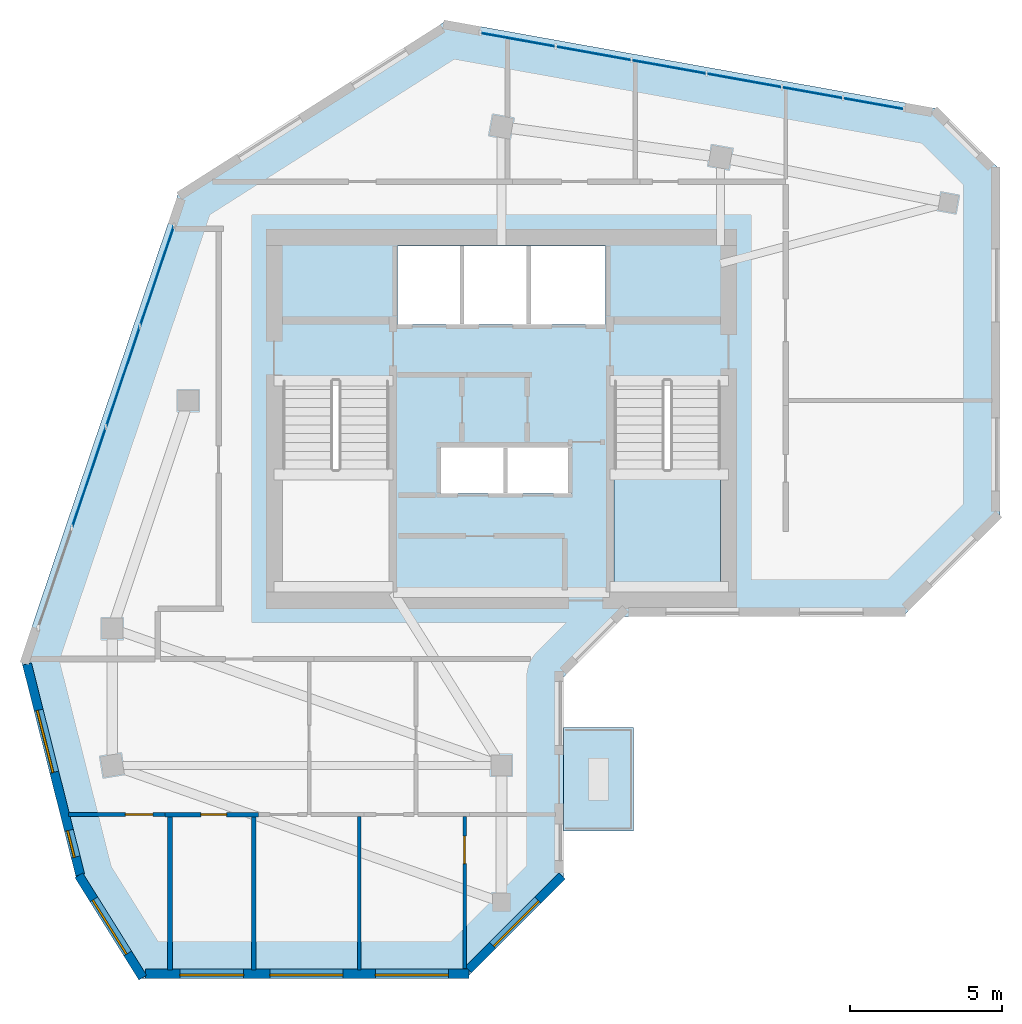
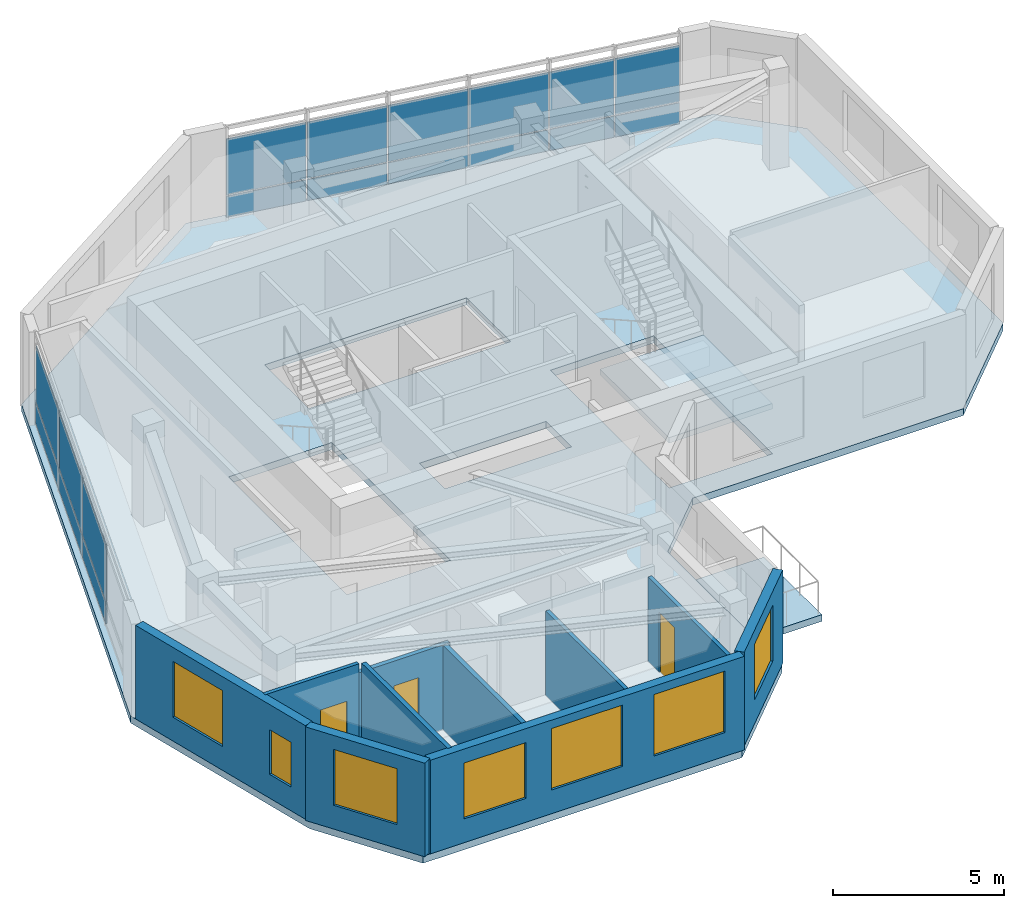
# One storey, part 2 of 7: 18 plates, 10 walls, 7 windows, 3 doors, 3 slabs, 10 openings, 3 elements without a shape of their own.
"""IFC4 building model written with IfcOpenShell, lengths in metres."""

import ifcopenshell
import ifcopenshell.guid

model = None  # the IFC model being written
_history = None  # IfcOwnerHistory: only IFC2X3 demands one
_inside = {}  # id of a spatial element -> (the spatial element, [elements in it])
_under = {}  # id of a project, library or spatial element -> (it, [spatial elements below it])
_declared = {}  # id of a project -> (the project, [libraries it declares])
_typed = {}  # id of a type object -> (the type object, [elements of that type])
_made_of = {}  # id of a material, layer set ... -> (it, [elements and type objects made of it])


def new_model(schema):
    """Start an empty IFC model of exactly this schema.

    Asked for "IFC4X3", IfcOpenShell would pick the latest addendum, in which some entities
    have other attributes; the version numbers below select the first issue.
    IFC2X3 requires an IfcOwnerHistory on every rooted entity: one is made here for all.
    """
    global model, _history
    if schema == "IFC4X3":
        model = ifcopenshell.file(schema_version=(4, 3, 0, 0))
    else:
        model = ifcopenshell.file(schema=schema)
    _inside.clear()
    _under.clear()
    _declared.clear()
    _typed.clear()
    _made_of.clear()
    _history = None
    if model.schema == "IFC2X3":
        org = make("IfcOrganization", Name="unknown")
        user = make(
            "IfcPersonAndOrganization",
            ThePerson=make("IfcPerson", FamilyName="unknown"),
            TheOrganization=org,
        )
        app = make(
            "IfcApplication",
            ApplicationDeveloper=org,
            Version="unknown",
            ApplicationFullName="unknown",
            ApplicationIdentifier="unknown",
        )
        _history = make(
            "IfcOwnerHistory",
            OwningUser=user,
            OwningApplication=app,
            ChangeAction="ADDED",
            CreationDate=0,
        )
    return model


def make(cls, **values):
    """One entity of the class cls with the attributes given. An attribute that is None is left unset."""
    return model.create_entity(
        cls, **{name: value for name, value in values.items() if value is not None}
    )


def rooted(cls, **values):
    """An entity with a GlobalId (a new one), such as an element, a storey or a relation."""
    return make(cls, GlobalId=ifcopenshell.guid.new(), OwnerHistory=_history, **values)


def si_unit(unit_type, name, prefix=None):
    """IfcSIUnit, for example si_unit("LENGTHUNIT", "METRE", prefix="MILLI")."""
    return make("IfcSIUnit", UnitType=unit_type, Prefix=prefix, Name=name)


def assignment(units):
    """IfcUnitAssignment: the units of a project."""
    return None if units is None else make("IfcUnitAssignment", Units=units)


def point(xyz):
    """IfcCartesianPoint."""
    return None if xyz is None else make("IfcCartesianPoint", Coordinates=xyz)


def direction(xyz):
    """IfcDirection."""
    return None if xyz is None else make("IfcDirection", DirectionRatios=xyz)


def frame(location, z_axis=None, x_axis=None):
    """IfcAxis2Placement3D, a coordinate frame: its origin and axes. An axis left out is left unset."""
    return make(
        "IfcAxis2Placement3D",
        Location=point(location),
        Axis=direction(z_axis),
        RefDirection=direction(x_axis),
    )


def frame_2d(location, x_axis=None):
    """IfcAxis2Placement2D, a coordinate frame in the plane: its origin and x axis."""
    return make(
        "IfcAxis2Placement2D", Location=point(location), RefDirection=direction(x_axis)
    )


def origin():
    """The frame at (0, 0, 0) with its axes left unset."""
    return frame((0.0, 0.0, 0.0))


def place(relative_to, where):
    """IfcLocalPlacement: puts the frame where relative to a parent placement (None: the world)."""
    return make(
        "IfcLocalPlacement", PlacementRelTo=relative_to, RelativePlacement=where
    )


def context(
    kind, dimensions, precision=None, world=None, true_north=None, identifier=None
):
    """IfcGeometricRepresentationContext, for example the 3D "Model" context."""
    return make(
        "IfcGeometricRepresentationContext",
        ContextIdentifier=identifier,
        ContextType=kind,
        CoordinateSpaceDimension=dimensions,
        Precision=precision,
        WorldCoordinateSystem=world,
        TrueNorth=true_north,
    )


def subcontext(parent, identifier, kind, view, scale=None):
    """IfcGeometricRepresentationSubContext, for example "Body" below "Model"."""
    return make(
        "IfcGeometricRepresentationSubContext",
        ContextIdentifier=identifier,
        ContextType=kind,
        ParentContext=parent,
        TargetScale=scale,
        TargetView=view,
    )


def project(units=None, contexts=None):
    """IfcProject with its units and contexts."""
    return rooted(
        "IfcProject",
        Name="project",
        RepresentationContexts=contexts,
        UnitsInContext=assignment(units),
    )


def spatial(cls, under=None, at=None, **own):
    """A site, building, storey or space (cls), placed at a placement, below another one or the project."""
    s = rooted(cls, ObjectPlacement=at, **own)
    if under is not None:
        _under.setdefault(under.id(), (under, []))[1].append(s)
    return s


def polyline(points):
    """IfcPolyline through the points."""
    return make("IfcPolyline", Points=[point(p) for p in points])


def profile(cls, at=None, kind="AREA", **sizes):
    """A parametric profile (cls). Its sizes go by their IFC names, for example OverallWidth=200.0."""
    return make(cls, ProfileType=kind, Position=at, **sizes)


def rectangle(**sizes):
    """IfcRectangleProfileDef."""
    return profile("IfcRectangleProfileDef", **sizes)


def outline(outer, holes=None, kind="AREA"):
    """IfcArbitraryClosedProfileDef: a profile drawn as a closed curve; with holes, ...WithVoids."""
    if holes is None:
        return make("IfcArbitraryClosedProfileDef", ProfileType=kind, OuterCurve=outer)
    return make(
        "IfcArbitraryProfileDefWithVoids",
        ProfileType=kind,
        OuterCurve=outer,
        InnerCurves=holes,
    )


def extrude(swept, where, along, depth):
    """IfcExtrudedAreaSolid: the profile swept, set in the frame where, extruded along a direction by depth."""
    return make(
        "IfcExtrudedAreaSolid",
        SweptArea=swept,
        Position=where,
        ExtrudedDirection=direction(along),
        Depth=depth,
    )


def shape(context_of_items, identifier, shape_type, items):
    """IfcShapeRepresentation: the items that make up one representation, for example the "Body"."""
    return make(
        "IfcShapeRepresentation",
        ContextOfItems=context_of_items,
        RepresentationIdentifier=identifier,
        RepresentationType=shape_type,
        Items=items,
    )


def source(mapping_origin, context_of_items, identifier, shape_type, items):
    """IfcRepresentationMap: a shape defined once, which mapped items show again and again."""
    return make(
        "IfcRepresentationMap",
        MappingOrigin=mapping_origin,
        MappedRepresentation=shape(context_of_items, identifier, shape_type, items),
    )


def transform(
    local_origin,
    x_axis=None,
    y_axis=None,
    z_axis=None,
    scale=None,
    scale2=None,
    scale3=None,
    uniform=True,
):
    """IfcCartesianTransformationOperator3D, or its non-uniform kind. x_axis, y_axis, z_axis: its Axis1, 2, 3."""
    if uniform:
        return make(
            "IfcCartesianTransformationOperator3D",
            Axis1=direction(x_axis),
            Axis2=direction(y_axis),
            LocalOrigin=point(local_origin),
            Scale=scale,
            Axis3=direction(z_axis),
        )
    return make(
        "IfcCartesianTransformationOperator3DnonUniform",
        Axis1=direction(x_axis),
        Axis2=direction(y_axis),
        LocalOrigin=point(local_origin),
        Scale=scale,
        Axis3=direction(z_axis),
        Scale2=scale2,
        Scale3=scale3,
    )


def mapped(mapping_source, mapping_target):
    """IfcMappedItem: shows the shape of a source again, moved by a transform."""
    return make(
        "IfcMappedItem", MappingSource=mapping_source, MappingTarget=mapping_target
    )


def material(Name=None, Category=None):
    """IfcMaterial."""
    return make("IfcMaterial", Name=Name, Category=Category)


def layer(
    of_material, thickness, ventilated=None, Name=None, Category=None, Priority=None
):
    """IfcMaterialLayer: one layer of a wall or slab, of a material (None: an air gap)."""
    return make(
        "IfcMaterialLayer",
        Material=of_material,
        LayerThickness=thickness,
        IsVentilated=ventilated,
        Name=Name,
        Category=Category,
        Priority=Priority,
    )


def layer_set(layers, Name=None):
    """IfcMaterialLayerSet."""
    return make("IfcMaterialLayerSet", MaterialLayers=layers, LayerSetName=Name)


def made_of(thing, what):
    """Note that an element or type object is made of a material, layer set ...; save() writes the relation."""
    if what is not None:
        _made_of.setdefault(what.id(), (what, []))[1].append(thing)
    return thing


def type_object(cls, material=None, **own):
    """A type object (cls), such as IfcWallType, which elements share."""
    return made_of(rooted(cls, **own), material)


def element(
    cls,
    number,
    at=None,
    inside=None,
    cuts=None,
    type_object=None,
    material=None,
    context=None,
    identifier="Body",
    shape_type=None,
    held_by="IfcProductDefinitionShape",
    body=None,
    shapes=None,
    **own,
):
    """One element of the class cls, such as IfcWall. Its Tag is "e" and its number.

    at: its placement. inside: the storey or other place that contains it. cuts: it is an
    opening in that element (IfcRelVoidsElement). A single representation is given by context,
    identifier, shape_type and body (its items); several are given by shapes. held_by: the class
    of the entity that holds the representations. save() writes the other relations.
    """
    e = rooted(cls, Tag="e%d" % number, ObjectPlacement=at, **own)
    if body is not None:
        shapes = [shape(context, identifier, shape_type, body)]
    if shapes is not None:
        e.Representation = make(held_by, Representations=shapes)
    if inside is not None:
        _inside.setdefault(inside.id(), (inside, []))[1].append(e)
    if cuts is not None:
        rooted(
            "IfcRelVoidsElement", RelatingBuildingElement=cuts, RelatedOpeningElement=e
        )
    if type_object is not None:
        _typed.setdefault(type_object.id(), (type_object, []))[1].append(e)
    return made_of(e, material)


def fill(opening, filler):
    """IfcRelFillsElement: the door or window that sits in an opening."""
    return rooted(
        "IfcRelFillsElement",
        RelatingOpeningElement=opening,
        RelatedBuildingElement=filler,
    )


def aggregate(whole, parts):
    """IfcRelAggregates: a whole, such as a stair, and the parts it consists of."""
    return rooted("IfcRelAggregates", RelatingObject=whole, RelatedObjects=parts)


def save(model, path):
    """Write the relations noted so far, then the file.

    IfcRelAggregates (storeys below a building ...), IfcRelContainedInSpatialStructure (elements
    in a storey), IfcRelDefinesByType, IfcRelAssociatesMaterial and IfcRelDeclares: one each for
    every whole, place, type object, material and project.
    """
    for whole, parts in _under.values():
        aggregate(whole, parts)
    for where, things in _inside.values():
        rooted(
            "IfcRelContainedInSpatialStructure",
            RelatedElements=things,
            RelatingStructure=where,
        )
    for kind, things in _typed.values():
        rooted("IfcRelDefinesByType", RelatedObjects=things, RelatingType=kind)
    for what, things in _made_of.values():
        rooted("IfcRelAssociatesMaterial", RelatedObjects=things, RelatingMaterial=what)
    for by, libraries in _declared.values():
        rooted("IfcRelDeclares", RelatingContext=by, RelatedDefinitions=libraries)
    model.write(path)


model = new_model("IFC4")

# Units and contexts
model_context = context("Model", 3, precision=1e-05, world=origin(), true_north=direction((0.0, 1.0)))
body_context = subcontext(model_context, "Body", "Model", "MODEL_VIEW")
ifc_project = project(units=[si_unit("LENGTHUNIT", "METRE"), si_unit("AREAUNIT", "SQUARE_METRE"), si_unit("VOLUMEUNIT", "CUBIC_METRE"), si_unit("PLANEANGLEUNIT", "RADIAN"), si_unit("MASSUNIT", "GRAM", prefix="KILO")], contexts=[model_context])

# Site, building, storey
site_placement = place(None, origin())
site = spatial("IfcSite", under=ifc_project, at=site_placement, CompositionType="ELEMENT")
building_placement = place(site_placement, origin())
building = spatial("IfcBuilding", under=site, at=building_placement, Name="Calvemar Wedge Station Tower", CompositionType="ELEMENT")
storey_placement = place(building_placement, frame((0.0, 0.0, 288.89990234375)))
storey = spatial("IfcBuildingStorey", under=building, at=storey_placement, Name="L74", CompositionType="ELEMENT", Elevation=288.89990234375)

# Curtain wall, plates
ifc_material_1 = material(Name="Anodised aluminium 6063-T6", Category="aluminium")
curtain_wall_type = type_object("IfcCurtainWallType", Name="CW4", PredefinedType="NOTDEFINED", material=ifc_material_1)
curtain_wall_1_placement = place(storey_placement, origin())
curtain_wall_1 = element("IfcCurtainWall", 1, at=curtain_wall_1_placement, inside=storey, type_object=curtain_wall_type, Name="Storey L74 CW4 Recessed Unitised Curtain Wall 10", PredefinedType="NOTDEFINED")
ifc_material_2 = material(Name="Low-E laminated insulated glass", Category="glass")
ifc_layer_1 = layer(ifc_material_2, 0.028076171875)
ifc_layer_set_1 = layer_set([ifc_layer_1], Name="Low-E laminated insulated glass")
plate_type_1 = type_object("IfcPlateType", Name="CW4-GLZ", PredefinedType="CURTAIN_PANEL", material=ifc_layer_set_1)
plate_1_placement = place(storey_placement, frame((37.01611328125, 50.08740234375, 0.8701171875), z_axis=(0.0, 0.0, 1.0), x_axis=(-0.984221146633, 0.176942743621, 0.0)))
plate_1 = element("IfcPlate", 2, at=plate_1_placement, type_object=plate_type_1, Name="CW4 vision glass panel 1", PredefinedType="CURTAIN_PANEL", context=body_context, shape_type="SweptSolid", body=[
    extrude(rectangle(XDim=2.001953125, YDim=0.028076171875, at=frame_2d((1.0009765625, 0.0))), origin(), (0.0, 0.0, 1.0), 2.010009765625),
])
plate_2_placement = place(storey_placement, frame((35.01025390625, 50.447998046875, 0.8701171875), z_axis=(0.0, 0.0, 1.0), x_axis=(-0.984224963901, 0.176921509244, 0.0)))
plate_2 = element("IfcPlate", 3, at=plate_2_placement, type_object=plate_type_1, Name="CW4 vision glass panel 2", PredefinedType="CURTAIN_PANEL", context=body_context, shape_type="SweptSolid", body=[
    extrude(rectangle(XDim=2.002197265625, YDim=0.028076171875, at=frame_2d((1.0009765625, 0.0))), origin(), (0.0, 0.0, 1.0), 2.010009765625),
])
plate_3_placement = place(storey_placement, frame((33.004150390625, 50.80859375, 0.8701171875), z_axis=(0.0, 0.0, 1.0), x_axis=(-0.984227258702, 0.176908742657, 0.0)))
plate_3 = element("IfcPlate", 4, at=plate_3_placement, type_object=plate_type_1, Name="CW4 vision glass panel 3", PredefinedType="CURTAIN_PANEL", context=body_context, shape_type="SweptSolid", body=[
    extrude(rectangle(XDim=2.478515625, YDim=0.028076171875, at=frame_2d((1.2392578125, 0.0))), origin(), (0.0, 0.0, 1.0), 2.010009765625),
])
plate_4_placement = place(storey_placement, frame((30.529296875, 51.25341796875, 0.8701171875), z_axis=(0.0, 0.0, 1.0), x_axis=(-0.984230341027, 0.176891593364, 0.0)))
plate_4 = element("IfcPlate", 5, at=plate_4_placement, type_object=plate_type_1, Name="CW4 vision glass panel 4", PredefinedType="CURTAIN_PANEL", context=body_context, shape_type="SweptSolid", body=[
    extrude(rectangle(XDim=2.478759765625, YDim=0.028076171875, at=frame_2d((1.2392578125, 0.0))), origin(), (0.0, 0.0, 1.0), 2.010009765625),
])
plate_5_placement = place(storey_placement, frame((28.05419921875, 51.6982421875, 0.8701171875), z_axis=(0.0, 0.0, 1.0), x_axis=(-0.984227429681, 0.176907791418, 0.0)))
plate_5 = element("IfcPlate", 6, at=plate_5_placement, type_object=plate_type_1, Name="CW4 vision glass panel 5", PredefinedType="CURTAIN_PANEL", context=body_context, shape_type="SweptSolid", body=[
    extrude(rectangle(XDim=2.48828125, YDim=0.028076171875, at=frame_2d((1.244140625, 0.0))), origin(), (0.0, 0.0, 1.0), 2.010009765625),
])
plate_6_placement = place(storey_placement, frame((25.56982421875, 52.14501953125, 0.8701171875), z_axis=(0.0, 0.0, 1.0), x_axis=(-0.984227429681, 0.176907791418, 0.0)))
plate_6 = element("IfcPlate", 7, at=plate_6_placement, type_object=plate_type_1, Name="CW4 vision glass panel 6", PredefinedType="CURTAIN_PANEL", context=body_context, shape_type="SweptSolid", body=[
    extrude(rectangle(XDim=2.48828125, YDim=0.028076171875, at=frame_2d((1.244140625, 0.0))), origin(), (0.0, 0.0, 1.0), 2.010009765625),
])

curtain_wall_2_placement = place(storey_placement, origin())
curtain_wall_2 = element("IfcCurtainWall", 8, at=curtain_wall_2_placement, inside=storey, type_object=curtain_wall_type, Name="Storey L74 CW4 Recessed Unitised Curtain Wall 12", PredefinedType="NOTDEFINED")
plate_7_placement = place(storey_placement, frame((13.0244140625, 46.223388671875, 0.8701171875), z_axis=(0.0, 0.0, 1.0), x_axis=(-0.319915894708, -0.947445945853, 0.0)))
plate_7 = element("IfcPlate", 9, at=plate_7_placement, type_object=plate_type_1, Name="CW4 vision glass panel 1", PredefinedType="CURTAIN_PANEL", context=body_context, shape_type="SweptSolid", body=[
    extrude(rectangle(XDim=3.453125, YDim=0.028076171875, at=frame_2d((1.7265625, 0.0))), origin(), (0.0, 0.0, 1.0), 2.010009765625),
])
plate_8_placement = place(storey_placement, frame((11.908203125, 42.91748046875, 0.8701171875), z_axis=(0.0, 0.0, 1.0), x_axis=(-0.319979356362, -0.947424514936, 0.0)))
plate_8 = element("IfcPlate", 10, at=plate_8_placement, type_object=plate_type_1, Name="CW4 vision glass panel 2", PredefinedType="CURTAIN_PANEL", context=body_context, shape_type="SweptSolid", body=[
    extrude(rectangle(XDim=3.453369140625, YDim=0.028076171875, at=frame_2d((1.7265625, 0.0))), origin(), (0.0, 0.0, 1.0), 2.010009765625),
])
plate_9_placement = place(storey_placement, frame((10.791748046875, 39.611572265625, 0.8701171875), z_axis=(0.0, 0.0, 1.0), x_axis=(-0.319915894708, -0.947445945853, 0.0)))
plate_9 = element("IfcPlate", 11, at=plate_9_placement, type_object=plate_type_1, Name="CW4 vision glass panel 3", PredefinedType="CURTAIN_PANEL", context=body_context, shape_type="SweptSolid", body=[
    extrude(rectangle(XDim=3.453125, YDim=0.028076171875, at=frame_2d((1.7265625, 0.0))), origin(), (0.0, 0.0, 1.0), 2.010009765625),
])

# Plate
ifc_material_3 = material(Name="Oxidized bronze aluminium spandrel panel 5005-H24", Category="aluminium")
ifc_layer_2 = layer(ifc_material_3, 0.0400390625)
ifc_layer_set_2 = layer_set([ifc_layer_2], Name="Oxidized bronze aluminium spandrel panel 5005-H24")
plate_type_2 = type_object("IfcPlateType", Name="CW4-SPD", PredefinedType="SHEET", material=ifc_layer_set_2)
plate_10_placement = place(storey_placement, frame((37.01611328125, 50.08740234375, 0.080078125), z_axis=(0.0, 0.0, 1.0), x_axis=(-0.984221146633, 0.176942743621, 0.0)))
plate_10 = element("IfcPlate", 12, at=plate_10_placement, type_object=plate_type_2, Name="CW4 bronze spandrel panel 1", PredefinedType="SHEET", context=body_context, shape_type="SweptSolid", body=[
    extrude(rectangle(XDim=2.001953125, YDim=0.0400390625, at=frame_2d((1.0009765625, 0.0))), origin(), (0.0, 0.0, 1.0), 0.75),
])

plate_11_placement = place(storey_placement, frame((35.01025390625, 50.447998046875, 0.080078125), z_axis=(0.0, 0.0, 1.0), x_axis=(-0.984224963901, 0.176921509244, 0.0)))
plate_11 = element("IfcPlate", 13, at=plate_11_placement, type_object=plate_type_2, Name="CW4 bronze spandrel panel 2", PredefinedType="SHEET", context=body_context, shape_type="SweptSolid", body=[
    extrude(rectangle(XDim=2.002197265625, YDim=0.0400390625, at=frame_2d((1.0009765625, 0.0))), origin(), (0.0, 0.0, 1.0), 0.75),
])

plate_12_placement = place(storey_placement, frame((33.004150390625, 50.80859375, 0.080078125), z_axis=(0.0, 0.0, 1.0), x_axis=(-0.984227258702, 0.176908742657, 0.0)))
plate_12 = element("IfcPlate", 14, at=plate_12_placement, type_object=plate_type_2, Name="CW4 bronze spandrel panel 3", PredefinedType="SHEET", context=body_context, shape_type="SweptSolid", body=[
    extrude(rectangle(XDim=2.478515625, YDim=0.0400390625, at=frame_2d((1.2392578125, 0.0))), origin(), (0.0, 0.0, 1.0), 0.75),
])

plate_13_placement = place(storey_placement, frame((30.529296875, 51.25341796875, 0.080078125), z_axis=(0.0, 0.0, 1.0), x_axis=(-0.984230341027, 0.176891593364, 0.0)))
plate_13 = element("IfcPlate", 15, at=plate_13_placement, type_object=plate_type_2, Name="CW4 bronze spandrel panel 4", PredefinedType="SHEET", context=body_context, shape_type="SweptSolid", body=[
    extrude(rectangle(XDim=2.478759765625, YDim=0.0400390625, at=frame_2d((1.2392578125, 0.0))), origin(), (0.0, 0.0, 1.0), 0.75),
])

plate_14_placement = place(storey_placement, frame((28.05419921875, 51.6982421875, 0.080078125), z_axis=(0.0, 0.0, 1.0), x_axis=(-0.984227429681, 0.176907791418, 0.0)))
plate_14 = element("IfcPlate", 16, at=plate_14_placement, type_object=plate_type_2, Name="CW4 bronze spandrel panel 5", PredefinedType="SHEET", context=body_context, shape_type="SweptSolid", body=[
    extrude(rectangle(XDim=2.48828125, YDim=0.0400390625, at=frame_2d((1.244140625, 0.0))), origin(), (0.0, 0.0, 1.0), 0.75),
])

plate_15_placement = place(storey_placement, frame((25.56982421875, 52.14501953125, 0.080078125), z_axis=(0.0, 0.0, 1.0), x_axis=(-0.984227429681, 0.176907791418, 0.0)))
plate_15 = element("IfcPlate", 17, at=plate_15_placement, type_object=plate_type_2, Name="CW4 bronze spandrel panel 6", PredefinedType="SHEET", context=body_context, shape_type="SweptSolid", body=[
    extrude(rectangle(XDim=2.48828125, YDim=0.0400390625, at=frame_2d((1.244140625, 0.0))), origin(), (0.0, 0.0, 1.0), 0.75),
])

aggregate(curtain_wall_1, [plate_10, plate_1, plate_11, plate_2, plate_12, plate_3, plate_13, plate_4, plate_14, plate_5, plate_15, plate_6])

plate_16_placement = place(storey_placement, frame((13.0244140625, 46.223388671875, 0.080078125), z_axis=(0.0, 0.0, 1.0), x_axis=(-0.319915894708, -0.947445945853, 0.0)))
plate_16 = element("IfcPlate", 18, at=plate_16_placement, type_object=plate_type_2, Name="CW4 bronze spandrel panel 1", PredefinedType="SHEET", context=body_context, shape_type="SweptSolid", body=[
    extrude(rectangle(XDim=3.453125, YDim=0.0400390625, at=frame_2d((1.7265625, 0.0))), origin(), (0.0, 0.0, 1.0), 0.75),
])

plate_17_placement = place(storey_placement, frame((11.908203125, 42.91748046875, 0.080078125), z_axis=(0.0, 0.0, 1.0), x_axis=(-0.319979356362, -0.947424514936, 0.0)))
plate_17 = element("IfcPlate", 19, at=plate_17_placement, type_object=plate_type_2, Name="CW4 bronze spandrel panel 2", PredefinedType="SHEET", context=body_context, shape_type="SweptSolid", body=[
    extrude(rectangle(XDim=3.453369140625, YDim=0.0400390625, at=frame_2d((1.7265625, 0.0))), origin(), (0.0, 0.0, 1.0), 0.75),
])

plate_18_placement = place(storey_placement, frame((10.791748046875, 39.611572265625, 0.080078125), z_axis=(0.0, 0.0, 1.0), x_axis=(-0.319915894708, -0.947445945853, 0.0)))
plate_18 = element("IfcPlate", 20, at=plate_18_placement, type_object=plate_type_2, Name="CW4 bronze spandrel panel 3", PredefinedType="SHEET", context=body_context, shape_type="SweptSolid", body=[
    extrude(rectangle(XDim=3.453125, YDim=0.0400390625, at=frame_2d((1.7265625, 0.0))), origin(), (0.0, 0.0, 1.0), 0.75),
])

aggregate(curtain_wall_2, [plate_16, plate_7, plate_17, plate_8, plate_18, plate_9])

# Stair, slab
ifc_material_4 = material(Name="Concrete C45", Category="concrete")
stair_type = type_object("IfcStairType", Name="ST-TYPE-3600", PredefinedType="HALF_TURN_STAIR", material=ifc_material_4)
stair_placement = place(storey_placement, origin())
stair = element("IfcStair", 21, at=stair_placement, inside=storey, type_object=stair_type, Name="L74 Pressurized Core Exit Stair ST-C2", PredefinedType="HALF_TURN_STAIR")
ifc_layer_3 = layer(ifc_material_4, 0.199951171875)
ifc_layer_set_3 = layer_set([ifc_layer_3], Name="Concrete C45")
slab_type_1 = type_object("IfcSlabType", Name="SL-STAIR-LND-200", PredefinedType="LANDING", material=ifc_layer_set_3)
slab_1_placement = place(storey_placement, frame((0.0, 0.0, 1.60009765625)))
slab_1 = element("IfcSlab", 22, at=slab_1_placement, type_object=slab_type_1, Name="ST-C2 landing 1", PredefinedType="LANDING", context=body_context, shape_type="SweptSolid", body=[
    extrude(outline(polyline([(27.5, 38.25), (27.5, 34.199951171875), (31.0, 34.199951171875), (31.0, 38.25), (27.5, 38.25)])), origin(), (0.0, 0.0, 1.0), 0.199951171875),
])
aggregate(stair, [slab_1])

# Slabs
ifc_layer_4 = layer(ifc_material_4, 0.239990234375)
ifc_layer_set_4 = layer_set([ifc_layer_4], Name="Concrete C45")
slab_type_2 = type_object("IfcSlabType", Name="SL-TERR-240", PredefinedType="FLOOR", material=ifc_layer_set_4)
slab_2_placement = place(storey_placement, frame((0.0, 0.0, -0.239990234375)))
element("IfcSlab", 23, at=slab_2_placement, inside=storey, type_object=slab_type_2, Name="Storey L74 Planted Spiral Terrace Slab", PredefinedType="FLOOR", context=body_context, shape_type="SweptSolid", body=[
    extrude(outline(polyline([(25.840087890625, 26.35009765625), (28.139892578125, 26.35009765625), (28.139892578125, 29.75), (25.840087890625, 29.75), (25.840087890625, 26.35009765625)])), origin(), (0.0, 0.0, 1.0), 0.239990234375),
])
ifc_material_5 = material(Name="Concrete C50", Category="concrete")
ifc_layer_5 = layer(ifc_material_5, 0.25)
ifc_layer_set_5 = layer_set([ifc_layer_5], Name="Concrete C50")
slab_type_3 = type_object("IfcSlabType", Name="SL-TYP-250", PredefinedType="FLOOR", material=ifc_layer_set_5)
slab_3_placement = place(storey_placement, frame((0.0, 0.0, -0.25)))
element("IfcSlab", 24, at=slab_3_placement, inside=storey, type_object=slab_type_3, Name="Storey L74 Structural Floor Slab", PredefinedType="FLOOR", context=body_context, shape_type="SweptSolid", body=[
    extrude(outline(polyline([(8.0, 32.0), (9.840087890625, 24.699951171875), (11.840087890625, 21.5), (22.639892578125, 21.5), (25.840087890625, 24.699951171875), (25.840087890625, 31.39990234375), (27.840087890625, 33.39990234375), (37.0, 33.39990234375), (40.199951171875, 36.60009765625), (40.199951171875, 48.087890625), (38.199951171875, 50.087890625), (22.0, 53.0), (13.199951171875, 47.39990234375), (8.0, 32.0)]), holes=[polyline([(20.10009765625, 34.199951171875), (20.10009765625, 41.14990234375), (16.60009765625, 41.14990234375), (16.60009765625, 34.199951171875), (20.10009765625, 34.199951171875)]), polyline([(31.0, 34.199951171875), (31.0, 41.14990234375), (27.5, 41.14990234375), (27.5, 34.199951171875), (31.0, 34.199951171875)]), polyline([(23.929931640625, 38.949951171875), (21.7900390625, 38.949951171875), (21.7900390625, 37.449951171875), (23.929931640625, 37.449951171875), (23.93994140625, 37.449951171875), (26.080078125, 37.449951171875), (26.080078125, 38.949951171875), (23.93994140625, 38.949951171875), (23.929931640625, 38.949951171875)]), polyline([(27.219970703125, 43.0), (27.219970703125, 45.580078125), (20.3798828125, 45.580078125), (20.3798828125, 43.0), (27.219970703125, 43.0)])]), origin(), (0.0, 0.0, 1.0), 0.25),
])

# Wall, opening, window
ifc_material_6 = material(Name="Precast concrete C45", Category="concrete")
ifc_layer_6 = layer(ifc_material_6, 0.300048828125)
ifc_layer_set_6 = layer_set([ifc_layer_6], Name="Precast concrete C45")
wall_type_1 = type_object("IfcWallType", Name="W-EXT-GFRC-300", PredefinedType="SOLIDWALL", material=ifc_layer_set_6)
wall_1_placement = place(storey_placement, frame((9.900146484375, 24.88671875, 0.0), z_axis=(0.0, 0.0, 1.0), x_axis=(0.530004471907, -0.84799484654, 0.0)))
wall_1 = element("IfcWall", 25, at=wall_1_placement, inside=storey, type_object=wall_type_1, Name="Storey L74 Bronze GFRC Exterior Wall 1", PredefinedType="SOLIDWALL", context=body_context, shape_type="SweptSolid", body=[
    extrude(rectangle(XDim=3.967041015625, YDim=0.300048828125, at=frame_2d((1.9833984375, 0.0))), origin(), (0.0, 0.0, 1.0), 3.35009765625),
])
shared_shape_1 = source(origin(), body_context, "Body", "SweptSolid", [
    extrude(rectangle(XDim=2.10009765625, YDim=2.0, at=frame_2d((1.050048828125, 1.0))), frame((0.0, 0.16015625, 0.0), z_axis=(0.0, -1.0, 0.0), x_axis=(1.0, 0.0, 0.0)), (0.0, 0.0, 1.0), 0.320068359375),
])
opening_1_placement = place(wall_1_placement, frame((0.93310546875, 0.0, 0.85009765625)))
opening_1 = element("IfcOpeningElement", 26, at=opening_1_placement, cuts=wall_1, Name="Opening W4", PredefinedType="OPENING", context=body_context, shape_type="MappedRepresentation", body=[
    mapped(shared_shape_1, transform((0.0, 0.0, 0.0), scale=1.0)),
])
window_type_1 = type_object("IfcWindowType", Name="WIN-EXT-4", PartitioningType="SINGLE_PANEL", PredefinedType="WINDOW", material=ifc_material_2)
shared_shape_2 = source(origin(), body_context, "Body", "SweptSolid", [
    extrude(rectangle(XDim=2.10009765625, YDim=2.0, at=frame_2d((1.050048828125, 1.0))), frame((0.0, -0.014892578125, 0.0), z_axis=(0.0, -1.0, 0.0), x_axis=(1.0, 0.0, 0.0)), (0.0, 0.0, 1.0), 0.06005859375),
])
window_1_placement = place(opening_1_placement, origin())
window_1 = element("IfcWindow", 27, at=window_1_placement, inside=storey, type_object=window_type_1, Name="Storey L74 Recessed Window 1.1", OverallHeight=2.0, OverallWidth=2.10009765625, PartitioningType="SINGLE_PANEL", PredefinedType="WINDOW", context=body_context, shape_type="MappedRepresentation", body=[
    mapped(shared_shape_2, transform((0.0, 0.0, 0.0), scale=1.0)),
])
fill(opening_1, window_1)

# Wall, openings, windows
wall_2_placement = place(storey_placement, frame((12.085693359375, 21.64990234375, 0.0), z_axis=(0.0, 0.0, 1.0), x_axis=(1.0, 0.0, 0.0)))
wall_2 = element("IfcWall", 28, at=wall_2_placement, inside=storey, type_object=wall_type_1, Name="Storey L74 Bronze GFRC Exterior Wall 2", PredefinedType="SOLIDWALL", context=body_context, shape_type="SweptSolid", body=[
    extrude(rectangle(XDim=10.64208984375, YDim=0.300048828125, at=frame_2d((5.321044921875, 0.0))), origin(), (0.0, 0.0, 1.0), 3.35009765625),
])
opening_2_placement = place(wall_2_placement, frame((1.138916015625, 0.0, 0.85009765625)))
opening_2 = element("IfcOpeningElement", 29, at=opening_2_placement, cuts=wall_2, Name="Opening W4", PredefinedType="OPENING", context=body_context, shape_type="MappedRepresentation", body=[
    mapped(shared_shape_1, transform((0.0, 0.0, 0.0), scale=1.0)),
])
shared_shape_3 = source(origin(), body_context, "Body", "SweptSolid", [
    extrude(rectangle(XDim=2.39990234375, YDim=2.199951171875, at=frame_2d((1.199951171875, 1.10009765625))), frame((0.0, 0.16015625, 0.0), z_axis=(0.0, -1.0, 0.0), x_axis=(1.0, 0.0, 0.0)), (0.0, 0.0, 1.0), 0.320068359375),
])
opening_3_placement = place(wall_2_placement, frame((4.10009765625, 0.0, 0.85009765625)))
opening_3 = element("IfcOpeningElement", 30, at=opening_3_placement, cuts=wall_2, Name="Opening W1", PredefinedType="OPENING", context=body_context, shape_type="MappedRepresentation", body=[
    mapped(shared_shape_3, transform((0.0, 0.0, 0.0), scale=1.0)),
])
opening_4_placement = place(wall_2_placement, frame((7.572021484375, 0.0, 0.85009765625)))
opening_4 = element("IfcOpeningElement", 31, at=opening_4_placement, cuts=wall_2, Name="Opening W1", PredefinedType="OPENING", context=body_context, shape_type="MappedRepresentation", body=[
    mapped(shared_shape_3, transform((0.0, 0.0, 0.0), scale=1.0)),
])
window_2_placement = place(opening_2_placement, origin())
window_2 = element("IfcWindow", 32, at=window_2_placement, inside=storey, type_object=window_type_1, Name="Storey L74 Recessed Window 2.1", OverallHeight=2.0, OverallWidth=2.10009765625, PartitioningType="SINGLE_PANEL", PredefinedType="WINDOW", context=body_context, shape_type="MappedRepresentation", body=[
    mapped(shared_shape_2, transform((0.0, 0.0, 0.0), scale=1.0)),
])
fill(opening_2, window_2)
window_type_2 = type_object("IfcWindowType", Name="WIN-EXT-1", PartitioningType="SINGLE_PANEL", PredefinedType="WINDOW", material=ifc_material_2)
shared_shape_4 = source(origin(), body_context, "Body", "SweptSolid", [
    extrude(rectangle(XDim=2.39990234375, YDim=2.199951171875, at=frame_2d((1.199951171875, 1.10009765625))), frame((0.0, -0.014892578125, 0.0), z_axis=(0.0, -1.0, 0.0), x_axis=(1.0, 0.0, 0.0)), (0.0, 0.0, 1.0), 0.06005859375),
])
window_3_placement = place(opening_3_placement, origin())
window_3 = element("IfcWindow", 33, at=window_3_placement, inside=storey, type_object=window_type_2, Name="Storey L74 Recessed Window 2.2", OverallHeight=2.199951171875, OverallWidth=2.39990234375, PartitioningType="SINGLE_PANEL", PredefinedType="WINDOW", context=body_context, shape_type="MappedRepresentation", body=[
    mapped(shared_shape_4, transform((0.0, 0.0, 0.0), scale=1.0)),
])
fill(opening_3, window_3)
window_4_placement = place(opening_4_placement, origin())
window_4 = element("IfcWindow", 34, at=window_4_placement, inside=storey, type_object=window_type_2, Name="Storey L74 Recessed Window 2.3", OverallHeight=2.199951171875, OverallWidth=2.39990234375, PartitioningType="SINGLE_PANEL", PredefinedType="WINDOW", context=body_context, shape_type="MappedRepresentation", body=[
    mapped(shared_shape_4, transform((0.0, 0.0, 0.0), scale=1.0)),
])
fill(opening_4, window_4)

# Wall, opening, window
wall_3_placement = place(storey_placement, frame((22.7158203125, 21.7880859375, 0.0), z_axis=(0.0, 0.0, 1.0), x_axis=(0.707134803727, 0.707078757535, 0.0)))
wall_3 = element("IfcWall", 35, at=wall_3_placement, inside=storey, type_object=wall_type_1, Name="Storey L74 Bronze GFRC Exterior Wall 3", PredefinedType="SOLIDWALL", context=body_context, shape_type="SweptSolid", body=[
    extrude(rectangle(XDim=4.35595703125, YDim=0.300048828125, at=frame_2d((2.177978515625, 0.0))), origin(), (0.0, 0.0, 1.0), 3.35009765625),
])
opening_5_placement = place(wall_3_placement, frame((1.1279296875, 0.0, 0.85009765625)))
opening_5 = element("IfcOpeningElement", 36, at=opening_5_placement, cuts=wall_3, Name="Opening W4", PredefinedType="OPENING", context=body_context, shape_type="MappedRepresentation", body=[
    mapped(shared_shape_1, transform((0.0, 0.0, 0.0), scale=1.0)),
])
window_5_placement = place(opening_5_placement, origin())
window_5 = element("IfcWindow", 37, at=window_5_placement, inside=storey, type_object=window_type_1, Name="Storey L74 Recessed Window 3.1", OverallHeight=2.0, OverallWidth=2.10009765625, PartitioningType="SINGLE_PANEL", PredefinedType="WINDOW", context=body_context, shape_type="MappedRepresentation", body=[
    mapped(shared_shape_2, transform((0.0, 0.0, 0.0), scale=1.0)),
])
fill(opening_5, window_5)

# Wall, openings, windows
wall_4_placement = place(storey_placement, frame((8.1962890625, 31.834716796875, 0.0), z_axis=(0.0, 0.0, 1.0), x_axis=(0.244430846523, -0.969666726906, 0.0)))
wall_4 = element("IfcWall", 38, at=wall_4_placement, inside=storey, type_object=wall_type_1, Name="Storey L74 Bronze GFRC Exterior Wall 13", PredefinedType="SOLIDWALL", context=body_context, shape_type="SweptSolid", body=[
    extrude(rectangle(XDim=7.151611328125, YDim=0.300048828125, at=frame_2d((3.57568359375, 0.0))), origin(), (0.0, 0.0, 1.0), 3.35009765625),
])
opening_6_placement = place(wall_4_placement, frame((1.568115234375, 0.0, 0.85009765625)))
opening_6 = element("IfcOpeningElement", 39, at=opening_6_placement, cuts=wall_4, Name="Opening W4", PredefinedType="OPENING", context=body_context, shape_type="MappedRepresentation", body=[
    mapped(shared_shape_1, transform((0.0, 0.0, 0.0), scale=1.0)),
])
shared_shape_5 = source(origin(), body_context, "Body", "SweptSolid", [
    extrude(rectangle(XDim=0.89990234375, YDim=1.60009765625, at=frame_2d((0.449951171875, 0.800048828125))), frame((0.0, 0.16015625, 0.0), z_axis=(0.0, -1.0, 0.0), x_axis=(1.0, 0.0, 0.0)), (0.0, 0.0, 1.0), 0.320068359375),
])
opening_7_placement = place(wall_4_placement, frame((5.64306640625, 0.0, 0.85009765625)))
opening_7 = element("IfcOpeningElement", 40, at=opening_7_placement, cuts=wall_4, Name="Opening W7", PredefinedType="OPENING", context=body_context, shape_type="MappedRepresentation", body=[
    mapped(shared_shape_5, transform((0.0, 0.0, 0.0), scale=1.0)),
])
window_6_placement = place(opening_6_placement, origin())
window_6 = element("IfcWindow", 41, at=window_6_placement, inside=storey, type_object=window_type_1, Name="Storey L74 Recessed Window 13.1", OverallHeight=2.0, OverallWidth=2.10009765625, PartitioningType="SINGLE_PANEL", PredefinedType="WINDOW", context=body_context, shape_type="MappedRepresentation", body=[
    mapped(shared_shape_2, transform((0.0, 0.0, 0.0), scale=1.0)),
])
fill(opening_6, window_6)
window_type_3 = type_object("IfcWindowType", Name="WIN-EXT-7", PartitioningType="SINGLE_PANEL", PredefinedType="WINDOW", material=ifc_material_2)
shared_shape_6 = source(origin(), body_context, "Body", "SweptSolid", [
    extrude(rectangle(XDim=0.89990234375, YDim=1.60009765625, at=frame_2d((0.449951171875, 0.800048828125))), frame((0.0, -0.014892578125, 0.0), z_axis=(0.0, -1.0, 0.0), x_axis=(1.0, 0.0, 0.0)), (0.0, 0.0, 1.0), 0.06005859375),
])
window_7_placement = place(opening_7_placement, origin())
window_7 = element("IfcWindow", 42, at=window_7_placement, inside=storey, type_object=window_type_3, Name="Storey L74 Recessed Window 13.2", OverallHeight=1.60009765625, OverallWidth=0.89990234375, PartitioningType="SINGLE_PANEL", PredefinedType="WINDOW", context=body_context, shape_type="MappedRepresentation", body=[
    mapped(shared_shape_6, transform((0.0, 0.0, 0.0), scale=1.0)),
])
fill(opening_7, window_7)

# Wall, opening, door
ifc_material_7 = material(Name="Insulated acoustic gypsum stud partition")
ifc_layer_7 = layer(ifc_material_7, 0.125)
ifc_layer_set_7 = layer_set([ifc_layer_7], Name="Insulated acoustic gypsum stud partition")
wall_type_2 = type_object("IfcWallType", Name="W-PART-125", PredefinedType="PARTITIONING", material=ifc_layer_set_7)
wall_5_placement = place(storey_placement, frame((12.738037109375, 26.883056640625, 0.0), z_axis=(0.0, 0.0, 1.0), x_axis=(-1.0, 0.0, 0.0)))
wall_5 = element("IfcWall", 43, at=wall_5_placement, inside=storey, type_object=wall_type_2, Name="Storey L74 Interior Partition WL-L74-032", PredefinedType="PARTITIONING", context=body_context, shape_type="SweptSolid", body=[
    extrude(rectangle(XDim=3.175048828125, YDim=0.125, at=frame_2d((1.58740234375, 0.0))), origin(), (0.0, 0.0, 1.0), 3.35009765625),
])
shared_shape_7 = source(origin(), body_context, "Body", "SweptSolid", [
    extrude(rectangle(XDim=0.89990234375, YDim=2.14990234375, at=frame_2d((0.449951171875, 1.074951171875))), frame((0.0, 0.072509765625, 0.0), z_axis=(0.0, -1.0, 0.0), x_axis=(1.0, 0.0, 0.0)), (0.0, 0.0, 1.0), 0.14501953125),
])
opening_8_placement = place(wall_5_placement, frame((0.402587890625, 0.0, 0.0)))
opening_8 = element("IfcOpeningElement", 44, at=opening_8_placement, cuts=wall_5, Name="Opening D-01", PredefinedType="OPENING", context=body_context, shape_type="MappedRepresentation", body=[
    mapped(shared_shape_7, transform((0.0, 0.0, 0.0), scale=1.0)),
])
ifc_material_8 = material(Name="Architectural hardwood acoustic swing door", Category="wood")
door_type_1 = type_object("IfcDoorType", Name="DR-INT-900", OperationType="NOTDEFINED", PredefinedType="DOOR", material=ifc_material_8)
shared_shape_8 = source(origin(), body_context, "Body", "SweptSolid", [
    extrude(rectangle(XDim=0.89990234375, YDim=2.14990234375, at=frame_2d((0.449951171875, 1.074951171875))), frame((0.0, 0.02490234375, 0.0), z_axis=(0.0, -1.0, 0.0), x_axis=(1.0, 0.0, 0.0)), (0.0, 0.0, 1.0), 0.050048828125),
])
door_1_placement = place(opening_8_placement, origin())
door_1 = element("IfcDoor", 45, at=door_1_placement, inside=storey, type_object=door_type_1, Name="L74 Bedroom Door", OperationType="SINGLE_SWING_LEFT", OverallHeight=2.14990234375, OverallWidth=0.89990234375, PredefinedType="DOOR", context=body_context, shape_type="MappedRepresentation", body=[
    mapped(shared_shape_8, transform((0.0, 0.0, 0.0), scale=1.0)),
])
fill(opening_8, door_1)

# Wall
wall_6_placement = place(storey_placement, frame((19.1220703125, 26.81640625, 0.0), z_axis=(0.0, 0.0, 1.0), x_axis=(0.0, -1.0, 0.0)))
element("IfcWall", 46, at=wall_6_placement, inside=storey, type_object=wall_type_2, Name="Storey L74 Interior Partition WL-L74-038", PredefinedType="PARTITIONING", context=body_context, shape_type="SweptSolid", body=[
    extrude(rectangle(XDim=5.051513671875, YDim=0.125, at=frame_2d((2.52587890625, 0.0))), origin(), (0.0, 0.0, 1.0), 3.0341796875),
])

# Wall, opening, door
wall_7_placement = place(storey_placement, frame((22.593017578125, 26.81640625, 0.0), z_axis=(0.0, 0.0, 1.0), x_axis=(0.0, -1.0, 0.0)))
wall_7 = element("IfcWall", 47, at=wall_7_placement, inside=storey, type_object=wall_type_2, Name="Storey L74 Interior Partition WL-L74-039", PredefinedType="PARTITIONING", context=body_context, shape_type="SweptSolid", body=[
    extrude(rectangle(XDim=4.988525390625, YDim=0.125, at=frame_2d((2.494140625, 0.0))), origin(), (0.0, 0.0, 1.0), 3.0341796875),
])
opening_9_placement = place(wall_7_placement, frame((0.64501953125, 0.0, 0.0)))
opening_9 = element("IfcOpeningElement", 48, at=opening_9_placement, cuts=wall_7, Name="Opening D-01", PredefinedType="OPENING", context=body_context, shape_type="MappedRepresentation", body=[
    mapped(shared_shape_7, transform((0.0, 0.0, 0.0), scale=1.0)),
])
door_2_placement = place(opening_9_placement, origin())
door_2 = element("IfcDoor", 49, at=door_2_placement, inside=storey, type_object=door_type_1, Name="L74 Study Door", OperationType="SINGLE_SWING_RIGHT", OverallHeight=2.14990234375, OverallWidth=0.89990234375, PredefinedType="DOOR", context=body_context, shape_type="MappedRepresentation", body=[
    mapped(shared_shape_8, transform((0.0, 0.0, 0.0), scale=1.0)),
])
fill(opening_9, door_2)

ifc_material_9 = material(Name="Moisture-resistant acoustic bathroom partition")
ifc_layer_8 = layer(ifc_material_9, 0.14990234375)
ifc_layer_set_8 = layer_set([ifc_layer_8], Name="Moisture-resistant acoustic bathroom partition")
wall_type_3 = type_object("IfcWallType", Name="W-WET-150", PredefinedType="PARTITIONING", material=ifc_layer_set_8)
wall_8_placement = place(storey_placement, frame((15.81005859375, 26.883056640625, 0.0), z_axis=(0.0, 0.0, 1.0), x_axis=(-1.0, 0.0, 0.0)))
wall_8 = element("IfcWall", 50, at=wall_8_placement, inside=storey, type_object=wall_type_3, Name="Storey L74 Interior Partition WL-L74-031", PredefinedType="PARTITIONING", context=body_context, shape_type="SweptSolid", body=[
    extrude(rectangle(XDim=3.070068359375, YDim=0.14990234375, at=frame_2d((1.53515625, 0.0))), origin(), (0.0, 0.0, 1.0), 3.0341796875),
])
shared_shape_9 = source(origin(), body_context, "Body", "SweptSolid", [
    extrude(rectangle(XDim=0.85009765625, YDim=2.14990234375, at=frame_2d((0.425048828125, 1.074951171875))), frame((0.0, 0.0849609375, 0.0), z_axis=(0.0, -1.0, 0.0), x_axis=(1.0, 0.0, 0.0)), (0.0, 0.0, 1.0), 0.169921875),
])
opening_10_placement = place(wall_8_placement, frame((1.046142578125, 0.0, 0.0)))
opening_10 = element("IfcOpeningElement", 51, at=opening_10_placement, cuts=wall_8, Name="Opening D-02", PredefinedType="OPENING", context=body_context, shape_type="MappedRepresentation", body=[
    mapped(shared_shape_9, transform((0.0, 0.0, 0.0), scale=1.0)),
])
ifc_material_10 = material(Name="Moisture-sealed bathroom hardwood swing door", Category="wood")
door_type_2 = type_object("IfcDoorType", Name="DR-WET-850", OperationType="NOTDEFINED", PredefinedType="DOOR", material=ifc_material_10)
shared_shape_10 = source(origin(), body_context, "Body", "SweptSolid", [
    extrude(rectangle(XDim=0.85009765625, YDim=2.14990234375, at=frame_2d((0.425048828125, 1.074951171875))), frame((0.0, 0.02490234375, 0.0), z_axis=(0.0, -1.0, 0.0), x_axis=(1.0, 0.0, 0.0)), (0.0, 0.0, 1.0), 0.050048828125),
])
door_3_placement = place(opening_10_placement, origin())
door_3 = element("IfcDoor", 52, at=door_3_placement, inside=storey, type_object=door_type_2, Name="L74 Bathroom Door", OperationType="SINGLE_SWING_RIGHT", OverallHeight=2.14990234375, OverallWidth=0.85009765625, PredefinedType="DOOR", context=body_context, shape_type="MappedRepresentation", body=[
    mapped(shared_shape_10, transform((0.0, 0.0, 0.0), scale=1.0)),
])
fill(opening_10, door_3)

# Walls
wall_9_placement = place(storey_placement, frame((12.89990234375, 21.764892578125, 0.0), z_axis=(0.0, 0.0, 1.0), x_axis=(0.0, 1.0, 0.0)))
element("IfcWall", 53, at=wall_9_placement, inside=storey, type_object=wall_type_3, Name="Storey L74 Interior Partition WL-L74-036", PredefinedType="PARTITIONING", context=body_context, shape_type="SweptSolid", body=[
    extrude(rectangle(XDim=5.0390625, YDim=0.14990234375, at=frame_2d((2.51953125, 0.0))), origin(), (0.0, 0.0, 1.0), 3.35009765625),
])
wall_10_placement = place(storey_placement, frame((15.64990234375, 26.803955078125, 0.0), z_axis=(0.0, 0.0, 1.0), x_axis=(0.0, -1.0, 0.0)))
element("IfcWall", 54, at=wall_10_placement, inside=storey, type_object=wall_type_3, Name="Storey L74 Interior Partition WL-L74-037", PredefinedType="PARTITIONING", context=body_context, shape_type="SweptSolid", body=[
    extrude(rectangle(XDim=5.0390625, YDim=0.14990234375, at=frame_2d((2.51953125, 0.0))), origin(), (0.0, 0.0, 1.0), 3.0341796875),
])

save(model, "model.ifc")
